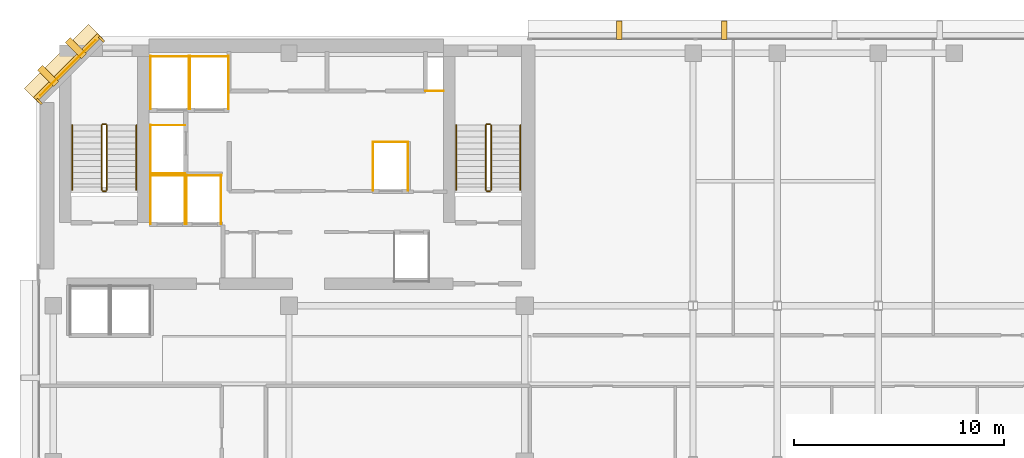
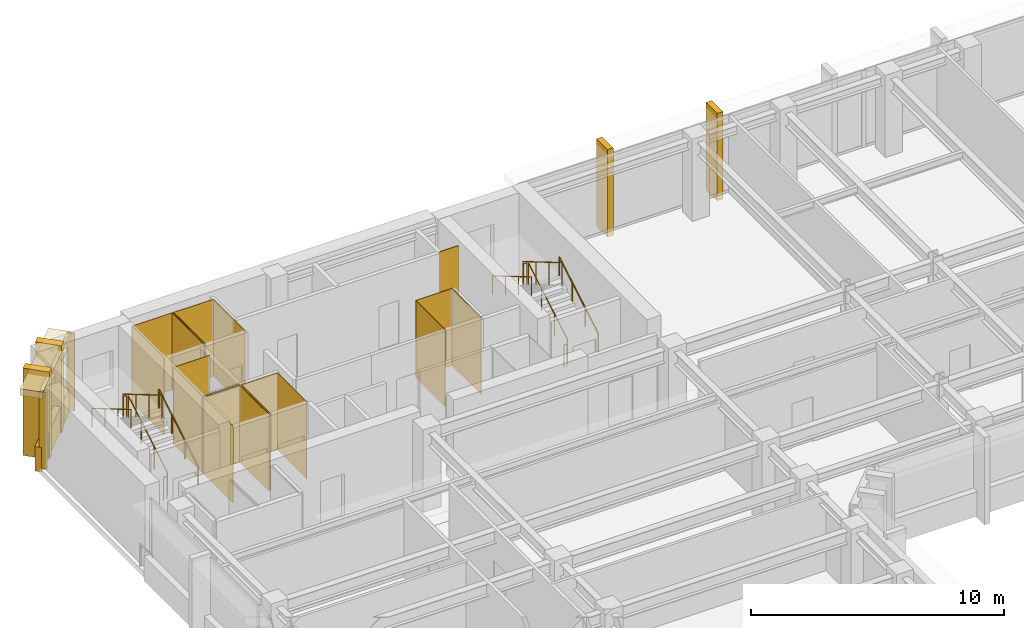
# One storey, part 11 of 12: 28 coverings, 12 railings.
"""IFC4 building model written with IfcOpenShell, lengths in metres."""

from ifc_helpers import new_model, si_unit, direction, frame, origin, origin_2d, place, context, subcontext, project, spatial, polyline, rectangle, circle, outline, extrude, material, layer, layer_set, type_object, element, save


model = new_model("IFC4")

# Units and contexts
model_context = context("Model", 3, precision=1e-05, world=origin(), true_north=direction((0.0, 1.0)))
body_context = subcontext(model_context, "Body", "Model", "MODEL_VIEW")
ifc_project = project(units=[si_unit("LENGTHUNIT", "METRE"), si_unit("AREAUNIT", "SQUARE_METRE"), si_unit("VOLUMEUNIT", "CUBIC_METRE"), si_unit("PLANEANGLEUNIT", "RADIAN"), si_unit("MASSUNIT", "GRAM", prefix="KILO")], contexts=[model_context])

# Site, building, storey
site_placement = place(None, origin())
site = spatial("IfcSite", under=ifc_project, at=site_placement, CompositionType="ELEMENT")
building_placement = place(site_placement, origin())
building = spatial("IfcBuilding", under=site, at=building_placement, Name="Kefirva Bronze Tower", CompositionType="ELEMENT")
storey_placement = place(building_placement, frame((0.0, 0.0, 260.3701171875)))
storey = spatial("IfcBuildingStorey", under=building, at=storey_placement, Name="L63", CompositionType="ELEMENT", Elevation=260.3701171875)

# Coverings
ifc_material_1 = material(Name="Bronze anodised aluminium", Category="aluminium")
ifc_layer_1 = layer(ifc_material_1, 0.02001953125, Name="Bronze anodised aluminium")
ifc_layer_set_1 = layer_set([ifc_layer_1], Name="Bronze anodised aluminium")
covering_type_1 = type_object("IfcCoveringType", Name="Anodised Bronze Spandrel Cladding 20mm", PredefinedType="CLADDING", material=ifc_layer_set_1)
covering_1_placement = place(storey_placement, frame((1.492919921875, 44.507080078125, 3.2900390625), z_axis=(0.0, 0.0, 1.0), x_axis=(-0.707106781187, -0.707106781187, 0.0)))
element("IfcCovering", 1, at=covering_1_placement, inside=storey, type_object=covering_type_1, Name="L63 Bronze Spandrel Cladding 6", PredefinedType="CLADDING", context=body_context, shape_type="SweptSolid", body=[
    extrude(rectangle(XDim=3.719482421875, YDim=0.02001953125, at=origin_2d()), origin(), (0.0, 0.0, 1.0), 0.39990234375),
])
for number, where, z_axis, x_axis, name in (
    (2, (3.08837890625, 45.862060546875, 0.0), (0.0, 0.0, 1.0), (-0.707106781187, -0.707106781187, 0.0), "L63 Facade Joint Closure Panel 6S"),
    (3, (0.137939453125, 42.91162109375, 0.0), (0.0, 0.0, 1.0), (-0.707106781187, -0.707106781187, 0.0), "L63 Facade Joint Closure Panel 6E"),
):
    element("IfcCovering", number, at=place(storey_placement, frame(where, z_axis=z_axis, x_axis=x_axis)), inside=storey, type_object=covering_type_1, Name=name, PredefinedType="CLADDING", context=body_context, shape_type="SweptSolid", body=[
        extrude(rectangle(XDim=0.10009765625, YDim=0.320068359375, at=origin_2d()), origin(), (0.0, 0.0, 1.0), 3.7099609375),
    ])
covering_2_placement = place(storey_placement, frame((1.4716796875, 44.5283203125, -0.16015625), z_axis=(0.0, 0.0, 1.0), x_axis=(-0.707106781187, -0.707106781187, 0.0)))
element("IfcCovering", 4, at=covering_2_placement, inside=storey, type_object=covering_type_1, Name="L63 Streamline Horizontal Spandrel Band 9", PredefinedType="CLADDING", context=body_context, shape_type="SweptSolid", body=[
    extrude(rectangle(XDim=4.28271484375, YDim=0.280029296875, at=origin_2d()), origin(), (0.0, 0.0, 1.0), 1.179931640625),
])
covering_3_placement = place(storey_placement, origin())
element("IfcCovering", 5, at=covering_3_placement, inside=storey, type_object=covering_type_1, Name="L63 Lift FF1 Hoistway Liner N", PredefinedType="CLADDING", context=body_context, shape_type="SweptSolid", body=[
    extrude(outline(polyline([(5.39990234375, 39.389892578125), (7.080078125, 39.389892578125), (7.080078125, 39.409912109375), (5.39990234375, 39.409912109375), (5.39990234375, 39.389892578125)])), origin(), (0.0, 0.0, 1.0), 3.7099609375),
])
covering_4_placement = place(storey_placement, origin())
element("IfcCovering", 6, at=covering_4_placement, inside=storey, type_object=covering_type_1, Name="L63 Lift FF1 Hoistway Liner W", PredefinedType="CLADDING", context=body_context, shape_type="SweptSolid", body=[
    extrude(outline(polyline([(5.409912109375, 37.080078125), (5.429931640625, 37.080078125), (5.429931640625, 39.419921875), (5.409912109375, 39.419921875), (5.409912109375, 37.080078125)])), origin(), (0.0, 0.0, 1.0), 3.7099609375),
])
covering_5_placement = place(storey_placement, origin())
element("IfcCovering", 7, at=covering_5_placement, inside=storey, type_object=covering_type_1, Name="L63 Lift FF1 Hoistway Liner E", PredefinedType="CLADDING", context=body_context, shape_type="SweptSolid", body=[
    extrude(outline(polyline([(7.050048828125, 37.080078125), (7.070068359375, 37.080078125), (7.070068359375, 39.419921875), (7.050048828125, 39.419921875), (7.050048828125, 37.080078125)])), origin(), (0.0, 0.0, 1.0), 3.7099609375),
])
covering_6_placement = place(storey_placement, origin())
element("IfcCovering", 8, at=covering_6_placement, inside=storey, type_object=covering_type_1, Name="L63 Lift FF2 Hoistway Liner N", PredefinedType="CLADDING", context=body_context, shape_type="SweptSolid", body=[
    extrude(outline(polyline([(7.1201171875, 39.389892578125), (8.800048828125, 39.389892578125), (8.800048828125, 39.409912109375), (7.1201171875, 39.409912109375), (7.1201171875, 39.389892578125)])), origin(), (0.0, 0.0, 1.0), 3.7099609375),
])
covering_7_placement = place(storey_placement, origin())
element("IfcCovering", 9, at=covering_7_placement, inside=storey, type_object=covering_type_1, Name="L63 Lift FF2 Hoistway Liner W", PredefinedType="CLADDING", context=body_context, shape_type="SweptSolid", body=[
    extrude(outline(polyline([(7.1298828125, 37.080078125), (7.14990234375, 37.080078125), (7.14990234375, 39.419921875), (7.1298828125, 39.419921875), (7.1298828125, 37.080078125)])), origin(), (0.0, 0.0, 1.0), 3.7099609375),
])
covering_8_placement = place(storey_placement, origin())
element("IfcCovering", 10, at=covering_8_placement, inside=storey, type_object=covering_type_1, Name="L63 Lift FF2 Hoistway Liner E", PredefinedType="CLADDING", context=body_context, shape_type="SweptSolid", body=[
    extrude(outline(polyline([(8.77001953125, 37.080078125), (8.7900390625, 37.080078125), (8.7900390625, 39.419921875), (8.77001953125, 39.419921875), (8.77001953125, 37.080078125)])), origin(), (0.0, 0.0, 1.0), 3.7099609375),
])
covering_9_placement = place(storey_placement, origin())
element("IfcCovering", 11, at=covering_9_placement, inside=storey, type_object=covering_type_1, Name="L63 Lift SV1 Hoistway Liner N", PredefinedType="CLADDING", context=body_context, shape_type="SweptSolid", body=[
    extrude(outline(polyline([(5.39990234375, 45.0400390625), (7.260009765625, 45.0400390625), (7.260009765625, 45.06005859375), (5.39990234375, 45.06005859375), (5.39990234375, 45.0400390625)])), origin(), (0.0, 0.0, 1.0), 3.7099609375),
])
covering_10_placement = place(storey_placement, origin())
element("IfcCovering", 12, at=covering_10_placement, inside=storey, type_object=covering_type_1, Name="L63 Lift SV1 Hoistway Liner W", PredefinedType="CLADDING", context=body_context, shape_type="SweptSolid", body=[
    extrude(outline(polyline([(5.409912109375, 42.530029296875), (5.429931640625, 42.530029296875), (5.429931640625, 45.070068359375), (5.409912109375, 45.070068359375), (5.409912109375, 42.530029296875)])), origin(), (0.0, 0.0, 1.0), 3.7099609375),
])
covering_11_placement = place(storey_placement, origin())
element("IfcCovering", 13, at=covering_11_placement, inside=storey, type_object=covering_type_1, Name="L63 Lift SV1 Hoistway Liner E", PredefinedType="CLADDING", context=body_context, shape_type="SweptSolid", body=[
    extrude(outline(polyline([(7.22998046875, 42.530029296875), (7.25, 42.530029296875), (7.25, 45.070068359375), (7.22998046875, 45.070068359375), (7.22998046875, 42.530029296875)])), origin(), (0.0, 0.0, 1.0), 3.7099609375),
])
covering_12_placement = place(storey_placement, origin())
element("IfcCovering", 14, at=covering_12_placement, inside=storey, type_object=covering_type_1, Name="L63 Lift SV2 Hoistway Liner N", PredefinedType="CLADDING", context=body_context, shape_type="SweptSolid", body=[
    extrude(outline(polyline([(7.280029296875, 45.0400390625), (9.139892578125, 45.0400390625), (9.139892578125, 45.06005859375), (7.280029296875, 45.06005859375), (7.280029296875, 45.0400390625)])), origin(), (0.0, 0.0, 1.0), 3.7099609375),
])
covering_13_placement = place(storey_placement, origin())
element("IfcCovering", 15, at=covering_13_placement, inside=storey, type_object=covering_type_1, Name="L63 Lift SV2 Hoistway Liner W", PredefinedType="CLADDING", context=body_context, shape_type="SweptSolid", body=[
    extrude(outline(polyline([(7.2900390625, 42.530029296875), (7.31005859375, 42.530029296875), (7.31005859375, 45.070068359375), (7.2900390625, 45.070068359375), (7.2900390625, 42.530029296875)])), origin(), (0.0, 0.0, 1.0), 3.7099609375),
])
covering_14_placement = place(storey_placement, origin())
element("IfcCovering", 16, at=covering_14_placement, inside=storey, type_object=covering_type_1, Name="L63 Lift SV2 Hoistway Liner E", PredefinedType="CLADDING", context=body_context, shape_type="SweptSolid", body=[
    extrude(outline(polyline([(9.110107421875, 42.530029296875), (9.1298828125, 42.530029296875), (9.1298828125, 45.070068359375), (9.110107421875, 45.070068359375), (9.110107421875, 42.530029296875)])), origin(), (0.0, 0.0, 1.0), 3.7099609375),
])
covering_15_placement = place(storey_placement, origin())
element("IfcCovering", 17, at=covering_15_placement, inside=storey, type_object=covering_type_1, Name="L63 Lift HP2 Hoistway Liner N", PredefinedType="CLADDING", context=body_context, shape_type="SweptSolid", body=[
    extrude(outline(polyline([(15.97998046875, 40.969970703125), (17.669921875, 40.969970703125), (17.669921875, 40.989990234375), (15.97998046875, 40.989990234375), (15.97998046875, 40.969970703125)])), origin(), (0.0, 0.0, 1.0), 3.7099609375),
])
covering_16_placement = place(storey_placement, origin())
element("IfcCovering", 18, at=covering_16_placement, inside=storey, type_object=covering_type_1, Name="L63 Lift HP2 Hoistway Liner W", PredefinedType="CLADDING", context=body_context, shape_type="SweptSolid", body=[
    extrude(outline(polyline([(15.989990234375, 38.659912109375), (16.010009765625, 38.659912109375), (16.010009765625, 41.0), (15.989990234375, 41.0), (15.989990234375, 38.659912109375)])), origin(), (0.0, 0.0, 1.0), 3.7099609375),
])
covering_17_placement = place(storey_placement, origin())
element("IfcCovering", 19, at=covering_17_placement, inside=storey, type_object=covering_type_1, Name="L63 Lift HP2 Hoistway Liner E", PredefinedType="CLADDING", context=body_context, shape_type="SweptSolid", body=[
    extrude(outline(polyline([(17.639892578125, 38.659912109375), (17.659912109375, 38.659912109375), (17.659912109375, 41.0), (17.639892578125, 41.0), (17.639892578125, 38.659912109375)])), origin(), (0.0, 0.0, 1.0), 3.7099609375),
])
covering_18_placement = place(storey_placement, origin())
element("IfcCovering", 20, at=covering_18_placement, inside=storey, type_object=covering_type_1, Name="L63 Lift HP3 Hoistway Liner N", PredefinedType="CLADDING", context=body_context, shape_type="SweptSolid", body=[
    extrude(outline(polyline([(5.39990234375, 41.77001953125), (7.080078125, 41.77001953125), (7.080078125, 41.7900390625), (5.39990234375, 41.7900390625), (5.39990234375, 41.77001953125)])), origin(), (0.0, 0.0, 1.0), 3.7099609375),
])
covering_19_placement = place(storey_placement, origin())
element("IfcCovering", 21, at=covering_19_placement, inside=storey, type_object=covering_type_1, Name="L63 Lift HP3 Hoistway Liner S", PredefinedType="CLADDING", context=body_context, shape_type="SweptSolid", body=[
    extrude(outline(polyline([(5.39990234375, 39.469970703125), (7.080078125, 39.469970703125), (7.080078125, 39.489990234375), (5.39990234375, 39.489990234375), (5.39990234375, 39.469970703125)])), origin(), (0.0, 0.0, 1.0), 3.7099609375),
])
covering_20_placement = place(storey_placement, origin())
element("IfcCovering", 22, at=covering_20_placement, inside=storey, type_object=covering_type_1, Name="L63 Lift HP3 Hoistway Liner W", PredefinedType="CLADDING", context=body_context, shape_type="SweptSolid", body=[
    extrude(outline(polyline([(5.409912109375, 39.4599609375), (5.429931640625, 39.4599609375), (5.429931640625, 41.800048828125), (5.409912109375, 41.800048828125), (5.409912109375, 39.4599609375)])), origin(), (0.0, 0.0, 1.0), 3.7099609375),
])
covering_21_placement = place(storey_placement, origin())
element("IfcCovering", 23, at=covering_21_placement, inside=storey, type_object=covering_type_1, Name="L63 Core MEP Riser Shaft Liner South", PredefinedType="CLADDING", context=body_context, shape_type="SweptSolid", body=[
    extrude(outline(polyline([(18.47998046875, 43.39990234375), (19.360107421875, 43.39990234375), (19.360107421875, 43.429931640625), (18.47998046875, 43.429931640625), (18.47998046875, 43.39990234375)])), origin(), (0.0, 0.0, 1.0), 3.7099609375),
])

# Railings
ifc_material_2 = material(Name="Stainless steel 316", Category="steel")
railing_type_1 = type_object("IfcRailingType", Name="Interior Stair Guardrail 1100mm", PredefinedType="GUARDRAIL", material=ifc_material_2)
railing_1_placement = place(storey_placement, frame((3.35009765625, 38.699951171875, 0.164794921875)))
element("IfcRailing", 24, at=railing_1_placement, inside=storey, type_object=railing_type_1, Name="L63 ST-1 stair guard 1", PredefinedType="GUARDRAIL", context=body_context, shape_type="SweptSolid", body=[
    extrude(circle(Radius=0.02392578125, at=origin_2d()), frame((0.0, 0.0, 1.076171875), z_axis=(0.0, 0.861521393093, 0.507721271215), x_axis=(-1.0, 0.0, 0.0)), (0.0, 0.0, 1.0), 3.5751953125),
    extrude(circle(Radius=0.02099609375, at=origin_2d()), origin(), (0.0, 0.0, 1.0), 1.052001953125),
    extrude(circle(Radius=0.02099609375, at=origin_2d()), frame((0.0, 1.026611328125, 0.60498046875)), (0.0, 0.0, 1.0), 1.052001953125),
    extrude(circle(Radius=0.02099609375, at=origin_2d()), frame((0.0, 2.053466796875, 1.210205078125)), (0.0, 0.0, 1.0), 1.052001953125),
    extrude(circle(Radius=0.02099609375, at=origin_2d()), frame((0.0, 3.080078125, 1.815185546875)), (0.0, 0.0, 1.0), 1.052001953125),
])
railing_2_placement = place(storey_placement, frame((3.300048828125, 41.830078125, 1.97998046875)))
element("IfcRailing", 25, at=railing_2_placement, inside=storey, type_object=railing_type_1, Name="L63 ST-1 stair guard 2", PredefinedType="GUARDRAIL", context=body_context, shape_type="SweptSolid", body=[
    extrude(circle(Radius=0.02392578125, at=origin_2d()), frame((0.0, 0.0, 1.076171875), z_axis=(-1.0, 0.0, 0.0), x_axis=(0.0, -1.0, 0.0)), (0.0, 0.0, 1.0), 0.150146484375),
    extrude(circle(Radius=0.02099609375, at=origin_2d()), origin(), (0.0, 0.0, 1.0), 1.052001953125),
    extrude(circle(Radius=0.02099609375, at=origin_2d()), frame((-0.150146484375, 0.0, 0.0)), (0.0, 0.0, 1.0), 1.052001953125),
])
railing_3_placement = place(storey_placement, frame((3.10009765625, 41.780029296875, 2.144775390625)))
element("IfcRailing", 26, at=railing_3_placement, inside=storey, type_object=railing_type_1, Name="L63 ST-1 stair guard 3", PredefinedType="GUARDRAIL", context=body_context, shape_type="SweptSolid", body=[
    extrude(circle(Radius=0.02392578125, at=origin_2d()), frame((0.0, 0.0, 1.076171875), z_axis=(0.0, -0.861521393093, 0.507721271215), x_axis=(1.0, 0.0, 0.0)), (0.0, 0.0, 1.0), 3.5751953125),
    extrude(circle(Radius=0.02099609375, at=origin_2d()), origin(), (0.0, 0.0, 1.0), 1.052001953125),
    extrude(circle(Radius=0.02099609375, at=origin_2d()), frame((0.0, -1.026611328125, 0.60498046875)), (0.0, 0.0, 1.0), 1.052001953125),
    extrude(circle(Radius=0.02099609375, at=origin_2d()), frame((0.0, -2.053466796875, 1.210205078125)), (0.0, 0.0, 1.0), 1.052001953125),
    extrude(circle(Radius=0.02099609375, at=origin_2d()), frame((0.0, -3.080078125, 1.815185546875)), (0.0, 0.0, 1.0), 1.052001953125),
])
railing_4_placement = place(storey_placement, frame((3.300048828125, 38.64990234375, 0.0)))
element("IfcRailing", 27, at=railing_4_placement, inside=storey, type_object=railing_type_1, Name="L63 ST-1 stair guard 4", PredefinedType="GUARDRAIL", context=body_context, shape_type="SweptSolid", body=[
    extrude(circle(Radius=0.02392578125, at=origin_2d()), frame((0.0, 0.0, 1.076171875), z_axis=(-1.0, 0.0, 0.0), x_axis=(0.0, -1.0, 0.0)), (0.0, 0.0, 1.0), 0.150146484375),
    extrude(circle(Radius=0.02099609375, at=origin_2d()), origin(), (0.0, 0.0, 1.0), 1.052001953125),
    extrude(circle(Radius=0.02099609375, at=origin_2d()), frame((-0.150146484375, 0.0, 0.0)), (0.0, 0.0, 1.0), 1.052001953125),
])
railing_5_placement = place(storey_placement, frame((21.60009765625, 38.699951171875, 0.164794921875)))
element("IfcRailing", 28, at=railing_5_placement, inside=storey, type_object=railing_type_1, Name="L63 ST-2 stair guard 1", PredefinedType="GUARDRAIL", context=body_context, shape_type="SweptSolid", body=[
    extrude(circle(Radius=0.02392578125, at=origin_2d()), frame((0.0, 0.0, 1.076171875), z_axis=(0.0, 0.861521393093, 0.507721271215), x_axis=(-1.0, 0.0, 0.0)), (0.0, 0.0, 1.0), 3.5751953125),
    extrude(circle(Radius=0.02099609375, at=origin_2d()), origin(), (0.0, 0.0, 1.0), 1.052001953125),
    extrude(circle(Radius=0.02099609375, at=origin_2d()), frame((0.0, 1.026611328125, 0.60498046875)), (0.0, 0.0, 1.0), 1.052001953125),
    extrude(circle(Radius=0.02099609375, at=origin_2d()), frame((0.0, 2.053466796875, 1.210205078125)), (0.0, 0.0, 1.0), 1.052001953125),
    extrude(circle(Radius=0.02099609375, at=origin_2d()), frame((0.0, 3.080078125, 1.815185546875)), (0.0, 0.0, 1.0), 1.052001953125),
])
railing_6_placement = place(storey_placement, frame((21.550048828125, 41.830078125, 1.97998046875)))
element("IfcRailing", 29, at=railing_6_placement, inside=storey, type_object=railing_type_1, Name="L63 ST-2 stair guard 2", PredefinedType="GUARDRAIL", context=body_context, shape_type="SweptSolid", body=[
    extrude(circle(Radius=0.02392578125, at=origin_2d()), frame((0.0, 0.0, 1.076171875), z_axis=(-1.0, 0.0, 0.0), x_axis=(0.0, -1.0, 0.0)), (0.0, 0.0, 1.0), 0.150146484375),
    extrude(circle(Radius=0.02099609375, at=origin_2d()), origin(), (0.0, 0.0, 1.0), 1.052001953125),
    extrude(circle(Radius=0.02099609375, at=origin_2d()), frame((-0.150146484375, 0.0, 0.0)), (0.0, 0.0, 1.0), 1.052001953125),
])
railing_7_placement = place(storey_placement, frame((21.35009765625, 41.780029296875, 2.144775390625)))
element("IfcRailing", 30, at=railing_7_placement, inside=storey, type_object=railing_type_1, Name="L63 ST-2 stair guard 3", PredefinedType="GUARDRAIL", context=body_context, shape_type="SweptSolid", body=[
    extrude(circle(Radius=0.02392578125, at=origin_2d()), frame((0.0, 0.0, 1.076171875), z_axis=(0.0, -0.861521393093, 0.507721271215), x_axis=(1.0, 0.0, 0.0)), (0.0, 0.0, 1.0), 3.5751953125),
    extrude(circle(Radius=0.02099609375, at=origin_2d()), origin(), (0.0, 0.0, 1.0), 1.052001953125),
    extrude(circle(Radius=0.02099609375, at=origin_2d()), frame((0.0, -1.026611328125, 0.60498046875)), (0.0, 0.0, 1.0), 1.052001953125),
    extrude(circle(Radius=0.02099609375, at=origin_2d()), frame((0.0, -2.053466796875, 1.210205078125)), (0.0, 0.0, 1.0), 1.052001953125),
    extrude(circle(Radius=0.02099609375, at=origin_2d()), frame((0.0, -3.080078125, 1.815185546875)), (0.0, 0.0, 1.0), 1.052001953125),
])
railing_8_placement = place(storey_placement, frame((21.550048828125, 38.64990234375, 0.0)))
element("IfcRailing", 31, at=railing_8_placement, inside=storey, type_object=railing_type_1, Name="L63 ST-2 stair guard 4", PredefinedType="GUARDRAIL", context=body_context, shape_type="SweptSolid", body=[
    extrude(circle(Radius=0.02392578125, at=origin_2d()), frame((0.0, 0.0, 1.076171875), z_axis=(-1.0, 0.0, 0.0), x_axis=(0.0, -1.0, 0.0)), (0.0, 0.0, 1.0), 0.150146484375),
    extrude(circle(Radius=0.02099609375, at=origin_2d()), origin(), (0.0, 0.0, 1.0), 1.052001953125),
    extrude(circle(Radius=0.02099609375, at=origin_2d()), frame((-0.150146484375, 0.0, 0.0)), (0.0, 0.0, 1.0), 1.052001953125),
])
railing_type_2 = type_object("IfcRailingType", Name="Stair Pitch Handrail 900mm", PredefinedType="HANDRAIL", material=ifc_material_2)
railing_9_placement = place(storey_placement, frame((4.75, 38.699951171875, 0.164794921875)))
element("IfcRailing", 32, at=railing_9_placement, inside=storey, type_object=railing_type_2, Name="L63 ST-1 stair handrail 1", PredefinedType="HANDRAIL", context=body_context, shape_type="SweptSolid", body=[
    extrude(circle(Radius=0.02392578125, at=origin_2d()), frame((0.0, 0.0, 0.8759765625), z_axis=(0.0, 0.861521393093, 0.507721271215), x_axis=(-1.0, 0.0, 0.0)), (0.0, 0.0, 1.0), 3.5751953125),
    extrude(circle(Radius=0.02099609375, at=origin_2d()), origin(), (0.0, 0.0, 1.0), 0.851806640625),
    extrude(circle(Radius=0.02099609375, at=origin_2d()), frame((0.0, 1.026611328125, 0.60498046875)), (0.0, 0.0, 1.0), 0.851806640625),
    extrude(circle(Radius=0.02099609375, at=origin_2d()), frame((0.0, 2.053466796875, 1.210205078125)), (0.0, 0.0, 1.0), 0.851806640625),
    extrude(circle(Radius=0.02099609375, at=origin_2d()), frame((0.0, 3.080078125, 1.815185546875)), (0.0, 0.0, 1.0), 0.851806640625),
])
railing_10_placement = place(storey_placement, frame((1.699951171875, 41.780029296875, 2.144775390625)))
element("IfcRailing", 33, at=railing_10_placement, inside=storey, type_object=railing_type_2, Name="L63 ST-1 stair handrail 2", PredefinedType="HANDRAIL", context=body_context, shape_type="SweptSolid", body=[
    extrude(circle(Radius=0.02392578125, at=origin_2d()), frame((0.0, 0.0, 0.8759765625), z_axis=(0.0, -0.861521393093, 0.507721271215), x_axis=(1.0, 0.0, 0.0)), (0.0, 0.0, 1.0), 3.5751953125),
    extrude(circle(Radius=0.02099609375, at=origin_2d()), origin(), (0.0, 0.0, 1.0), 0.851806640625),
    extrude(circle(Radius=0.02099609375, at=origin_2d()), frame((0.0, -1.026611328125, 0.60498046875)), (0.0, 0.0, 1.0), 0.851806640625),
    extrude(circle(Radius=0.02099609375, at=origin_2d()), frame((0.0, -2.053466796875, 1.210205078125)), (0.0, 0.0, 1.0), 0.851806640625),
    extrude(circle(Radius=0.02099609375, at=origin_2d()), frame((0.0, -3.080078125, 1.815185546875)), (0.0, 0.0, 1.0), 0.851806640625),
])
railing_11_placement = place(storey_placement, frame((23.0, 38.699951171875, 0.164794921875)))
element("IfcRailing", 34, at=railing_11_placement, inside=storey, type_object=railing_type_2, Name="L63 ST-2 stair handrail 1", PredefinedType="HANDRAIL", context=body_context, shape_type="SweptSolid", body=[
    extrude(circle(Radius=0.02392578125, at=origin_2d()), frame((0.0, 0.0, 0.8759765625), z_axis=(0.0, 0.861521393093, 0.507721271215), x_axis=(-1.0, 0.0, 0.0)), (0.0, 0.0, 1.0), 3.5751953125),
    extrude(circle(Radius=0.02099609375, at=origin_2d()), origin(), (0.0, 0.0, 1.0), 0.851806640625),
    extrude(circle(Radius=0.02099609375, at=origin_2d()), frame((0.0, 1.026611328125, 0.60498046875)), (0.0, 0.0, 1.0), 0.851806640625),
    extrude(circle(Radius=0.02099609375, at=origin_2d()), frame((0.0, 2.053466796875, 1.210205078125)), (0.0, 0.0, 1.0), 0.851806640625),
    extrude(circle(Radius=0.02099609375, at=origin_2d()), frame((0.0, 3.080078125, 1.815185546875)), (0.0, 0.0, 1.0), 0.851806640625),
])
railing_12_placement = place(storey_placement, frame((19.949951171875, 41.780029296875, 2.144775390625)))
element("IfcRailing", 35, at=railing_12_placement, inside=storey, type_object=railing_type_2, Name="L63 ST-2 stair handrail 2", PredefinedType="HANDRAIL", context=body_context, shape_type="SweptSolid", body=[
    extrude(circle(Radius=0.02392578125, at=origin_2d()), frame((0.0, 0.0, 0.8759765625), z_axis=(0.0, -0.861521393093, 0.507721271215), x_axis=(1.0, 0.0, 0.0)), (0.0, 0.0, 1.0), 3.5751953125),
    extrude(circle(Radius=0.02099609375, at=origin_2d()), origin(), (0.0, 0.0, 1.0), 0.851806640625),
    extrude(circle(Radius=0.02099609375, at=origin_2d()), frame((0.0, -1.026611328125, 0.60498046875)), (0.0, 0.0, 1.0), 0.851806640625),
    extrude(circle(Radius=0.02099609375, at=origin_2d()), frame((0.0, -2.053466796875, 1.210205078125)), (0.0, 0.0, 1.0), 0.851806640625),
    extrude(circle(Radius=0.02099609375, at=origin_2d()), frame((0.0, -3.080078125, 1.815185546875)), (0.0, 0.0, 1.0), 0.851806640625),
])

# Coverings
ifc_layer_2 = layer(ifc_material_1, 0.179931640625, Name="Bronze anodised aluminium")
ifc_layer_set_2 = layer_set([ifc_layer_2], Name="Bronze anodised aluminium")
covering_type_2 = type_object("IfcCoveringType", Name="Streamline Bronze Sunshade Eyebrow Cladding 180mm", PredefinedType="CLADDING", material=ifc_layer_set_2)
covering_22_placement = place(storey_placement, frame((1.28076171875, 44.71923828125, 3.3896484375), z_axis=(0.0, 0.0, 1.0), x_axis=(-0.707106781187, -0.707106781187, 0.0)))
element("IfcCovering", 36, at=covering_22_placement, inside=storey, type_object=covering_type_2, Name="L63 Streamline Bronze Sunshade Eyebrow 9", PredefinedType="CLADDING", context=body_context, shape_type="SweptSolid", body=[
    extrude(rectangle(XDim=4.322509765625, YDim=0.93994140625, at=origin_2d()), origin(), (0.0, 0.0, 1.0), 0.320068359375),
])
ifc_layer_3 = layer(ifc_material_1, 0.260009765625, Name="Bronze anodised aluminium")
ifc_layer_set_3 = layer_set([ifc_layer_3], Name="Bronze anodised aluminium")
covering_type_3 = type_object("IfcCoveringType", Name="Unbroken Bronze Buttress Fin Cladding 260mm", PredefinedType="CLADDING", material=ifc_layer_set_3)
for number, where, z_axis, x_axis, name in (
    (37, (32.68505859375, 46.300048828125, -0.25), (0.0, 0.0, 1.0), (-1.0, 0.0, 0.0), "L63 Unbroken Vertical Bronze Rib Fin 19"),
    (38, (27.68798828125, 46.300048828125, -0.25), (0.0, 0.0, 1.0), (-1.0, 0.0, 0.0), "L63 Unbroken Vertical Bronze Rib Fin 20"),
):
    element("IfcCovering", number, at=place(storey_placement, frame(where, z_axis=z_axis, x_axis=x_axis)), inside=storey, type_object=covering_type_3, Name=name, PredefinedType="CLADDING", context=body_context, shape_type="SweptSolid", body=[
        extrude(rectangle(XDim=0.260009765625, YDim=0.8798828125, at=origin_2d()), origin(), (0.0, 0.0, 1.0), 4.2099609375),
    ])
for number, where, z_axis, x_axis, name in (
    (39, (1.877197265625, 45.44287109375, -0.25), (0.0, 0.0, 1.0), (-0.707106781187, -0.707106781187, 0.0), "L63 Chamfered Corner Buttress Fin Cladding 21"),
    (40, (0.55712890625, 44.122802734375, -0.25), (0.0, 0.0, 1.0), (-0.707106781187, -0.707106781187, 0.0), "L63 Chamfered Corner Buttress Fin Cladding 22"),
):
    element("IfcCovering", number, at=place(storey_placement, frame(where, z_axis=z_axis, x_axis=x_axis)), inside=storey, type_object=covering_type_3, Name=name, PredefinedType="CLADDING", context=body_context, shape_type="SweptSolid", body=[
        extrude(rectangle(XDim=0.340087890625, YDim=1.080078125, at=origin_2d()), origin(), (0.0, 0.0, 1.0), 4.2099609375),
    ])

save(model, "model.ifc")
